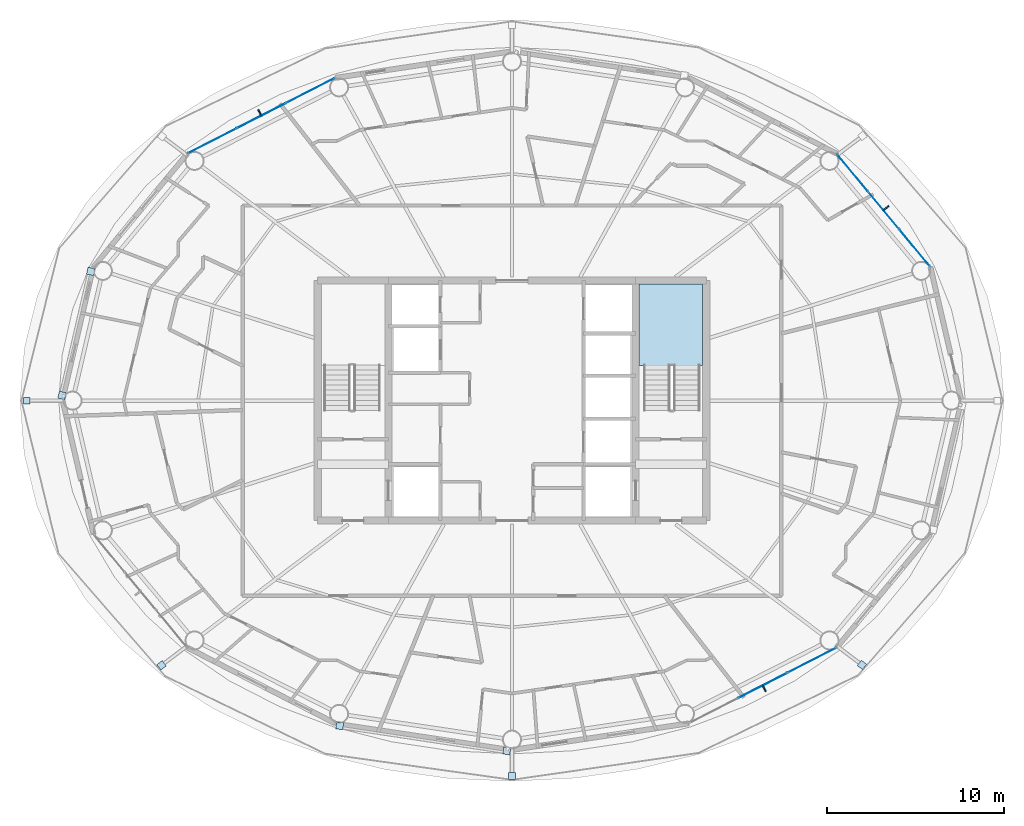
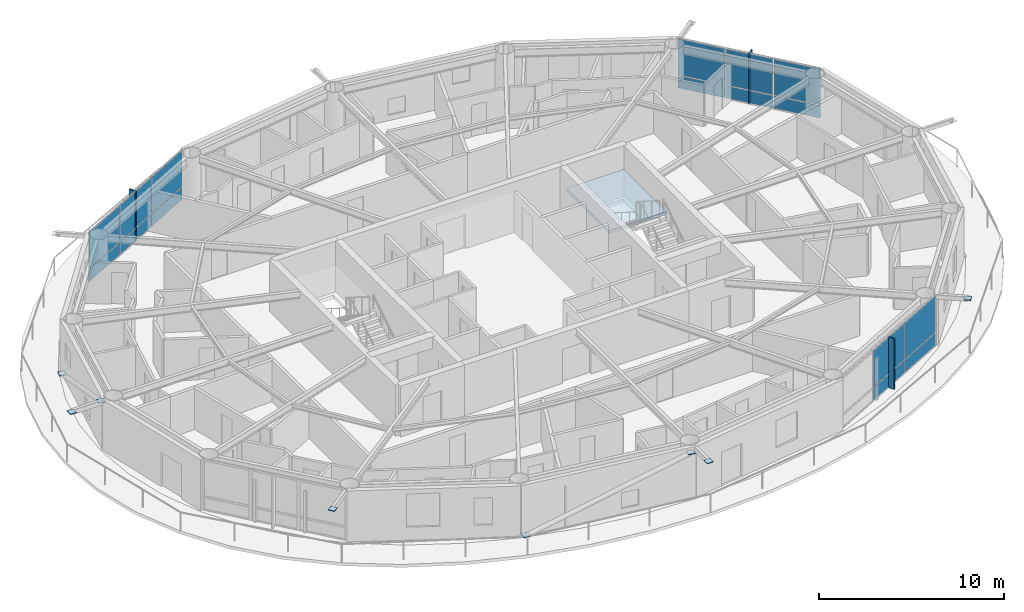
# One storey, part 14 of 23: 27 plates, 1 slab, 4 elements without a shape of their own.
"""IFC4 building model written with IfcOpenShell, lengths in metres."""

import ifcopenshell
import ifcopenshell.guid

model = None  # the IFC model being written
_history = None  # IfcOwnerHistory: only IFC2X3 demands one
_inside = {}  # id of a spatial element -> (the spatial element, [elements in it])
_under = {}  # id of a project, library or spatial element -> (it, [spatial elements below it])
_declared = {}  # id of a project -> (the project, [libraries it declares])
_typed = {}  # id of a type object -> (the type object, [elements of that type])
_made_of = {}  # id of a material, layer set ... -> (it, [elements and type objects made of it])


def new_model(schema):
    """Start an empty IFC model of exactly this schema.

    Asked for "IFC4X3", IfcOpenShell would pick the latest addendum, in which some entities
    have other attributes; the version numbers below select the first issue.
    IFC2X3 requires an IfcOwnerHistory on every rooted entity: one is made here for all.
    """
    global model, _history
    if schema == "IFC4X3":
        model = ifcopenshell.file(schema_version=(4, 3, 0, 0))
    else:
        model = ifcopenshell.file(schema=schema)
    _inside.clear()
    _under.clear()
    _declared.clear()
    _typed.clear()
    _made_of.clear()
    _history = None
    if model.schema == "IFC2X3":
        org = make("IfcOrganization", Name="unknown")
        user = make(
            "IfcPersonAndOrganization",
            ThePerson=make("IfcPerson", FamilyName="unknown"),
            TheOrganization=org,
        )
        app = make(
            "IfcApplication",
            ApplicationDeveloper=org,
            Version="unknown",
            ApplicationFullName="unknown",
            ApplicationIdentifier="unknown",
        )
        _history = make(
            "IfcOwnerHistory",
            OwningUser=user,
            OwningApplication=app,
            ChangeAction="ADDED",
            CreationDate=0,
        )
    return model


def make(cls, **values):
    """One entity of the class cls with the attributes given. An attribute that is None is left unset."""
    return model.create_entity(
        cls, **{name: value for name, value in values.items() if value is not None}
    )


def rooted(cls, **values):
    """An entity with a GlobalId (a new one), such as an element, a storey or a relation."""
    return make(cls, GlobalId=ifcopenshell.guid.new(), OwnerHistory=_history, **values)


def si_unit(unit_type, name, prefix=None):
    """IfcSIUnit, for example si_unit("LENGTHUNIT", "METRE", prefix="MILLI")."""
    return make("IfcSIUnit", UnitType=unit_type, Prefix=prefix, Name=name)


def assignment(units):
    """IfcUnitAssignment: the units of a project."""
    return None if units is None else make("IfcUnitAssignment", Units=units)


def point(xyz):
    """IfcCartesianPoint."""
    return None if xyz is None else make("IfcCartesianPoint", Coordinates=xyz)


def direction(xyz):
    """IfcDirection."""
    return None if xyz is None else make("IfcDirection", DirectionRatios=xyz)


def frame(location, z_axis=None, x_axis=None):
    """IfcAxis2Placement3D, a coordinate frame: its origin and axes. An axis left out is left unset."""
    return make(
        "IfcAxis2Placement3D",
        Location=point(location),
        Axis=direction(z_axis),
        RefDirection=direction(x_axis),
    )


def frame_2d(location, x_axis=None):
    """IfcAxis2Placement2D, a coordinate frame in the plane: its origin and x axis."""
    return make(
        "IfcAxis2Placement2D", Location=point(location), RefDirection=direction(x_axis)
    )


def origin():
    """The frame at (0, 0, 0) with its axes left unset."""
    return frame((0.0, 0.0, 0.0))


def origin_2d():
    """The frame at (0, 0) in the plane with its x axis left unset."""
    return frame_2d((0.0, 0.0))


def place(relative_to, where):
    """IfcLocalPlacement: puts the frame where relative to a parent placement (None: the world)."""
    return make(
        "IfcLocalPlacement", PlacementRelTo=relative_to, RelativePlacement=where
    )


def context(
    kind, dimensions, precision=None, world=None, true_north=None, identifier=None
):
    """IfcGeometricRepresentationContext, for example the 3D "Model" context."""
    return make(
        "IfcGeometricRepresentationContext",
        ContextIdentifier=identifier,
        ContextType=kind,
        CoordinateSpaceDimension=dimensions,
        Precision=precision,
        WorldCoordinateSystem=world,
        TrueNorth=true_north,
    )


def subcontext(parent, identifier, kind, view, scale=None):
    """IfcGeometricRepresentationSubContext, for example "Body" below "Model"."""
    return make(
        "IfcGeometricRepresentationSubContext",
        ContextIdentifier=identifier,
        ContextType=kind,
        ParentContext=parent,
        TargetScale=scale,
        TargetView=view,
    )


def project(units=None, contexts=None):
    """IfcProject with its units and contexts."""
    return rooted(
        "IfcProject",
        Name="project",
        RepresentationContexts=contexts,
        UnitsInContext=assignment(units),
    )


def spatial(cls, under=None, at=None, **own):
    """A site, building, storey or space (cls), placed at a placement, below another one or the project."""
    s = rooted(cls, ObjectPlacement=at, **own)
    if under is not None:
        _under.setdefault(under.id(), (under, []))[1].append(s)
    return s


def polyline(points):
    """IfcPolyline through the points."""
    return make("IfcPolyline", Points=[point(p) for p in points])


def profile(cls, at=None, kind="AREA", **sizes):
    """A parametric profile (cls). Its sizes go by their IFC names, for example OverallWidth=200.0."""
    return make(cls, ProfileType=kind, Position=at, **sizes)


def rectangle(**sizes):
    """IfcRectangleProfileDef."""
    return profile("IfcRectangleProfileDef", **sizes)


def outline(outer, holes=None, kind="AREA"):
    """IfcArbitraryClosedProfileDef: a profile drawn as a closed curve; with holes, ...WithVoids."""
    if holes is None:
        return make("IfcArbitraryClosedProfileDef", ProfileType=kind, OuterCurve=outer)
    return make(
        "IfcArbitraryProfileDefWithVoids",
        ProfileType=kind,
        OuterCurve=outer,
        InnerCurves=holes,
    )


def extrude(swept, where, along, depth):
    """IfcExtrudedAreaSolid: the profile swept, set in the frame where, extruded along a direction by depth."""
    return make(
        "IfcExtrudedAreaSolid",
        SweptArea=swept,
        Position=where,
        ExtrudedDirection=direction(along),
        Depth=depth,
    )


def shape(context_of_items, identifier, shape_type, items):
    """IfcShapeRepresentation: the items that make up one representation, for example the "Body"."""
    return make(
        "IfcShapeRepresentation",
        ContextOfItems=context_of_items,
        RepresentationIdentifier=identifier,
        RepresentationType=shape_type,
        Items=items,
    )


def material(Name=None, Category=None):
    """IfcMaterial."""
    return make("IfcMaterial", Name=Name, Category=Category)


def layer(
    of_material, thickness, ventilated=None, Name=None, Category=None, Priority=None
):
    """IfcMaterialLayer: one layer of a wall or slab, of a material (None: an air gap)."""
    return make(
        "IfcMaterialLayer",
        Material=of_material,
        LayerThickness=thickness,
        IsVentilated=ventilated,
        Name=Name,
        Category=Category,
        Priority=Priority,
    )


def layer_set(layers, Name=None):
    """IfcMaterialLayerSet."""
    return make("IfcMaterialLayerSet", MaterialLayers=layers, LayerSetName=Name)


def made_of(thing, what):
    """Note that an element or type object is made of a material, layer set ...; save() writes the relation."""
    if what is not None:
        _made_of.setdefault(what.id(), (what, []))[1].append(thing)
    return thing


def type_object(cls, material=None, **own):
    """A type object (cls), such as IfcWallType, which elements share."""
    return made_of(rooted(cls, **own), material)


def element(
    cls,
    number,
    at=None,
    inside=None,
    cuts=None,
    type_object=None,
    material=None,
    context=None,
    identifier="Body",
    shape_type=None,
    held_by="IfcProductDefinitionShape",
    body=None,
    shapes=None,
    **own,
):
    """One element of the class cls, such as IfcWall. Its Tag is "e" and its number.

    at: its placement. inside: the storey or other place that contains it. cuts: it is an
    opening in that element (IfcRelVoidsElement). A single representation is given by context,
    identifier, shape_type and body (its items); several are given by shapes. held_by: the class
    of the entity that holds the representations. save() writes the other relations.
    """
    e = rooted(cls, Tag="e%d" % number, ObjectPlacement=at, **own)
    if body is not None:
        shapes = [shape(context, identifier, shape_type, body)]
    if shapes is not None:
        e.Representation = make(held_by, Representations=shapes)
    if inside is not None:
        _inside.setdefault(inside.id(), (inside, []))[1].append(e)
    if cuts is not None:
        rooted(
            "IfcRelVoidsElement", RelatingBuildingElement=cuts, RelatedOpeningElement=e
        )
    if type_object is not None:
        _typed.setdefault(type_object.id(), (type_object, []))[1].append(e)
    return made_of(e, material)


def aggregate(whole, parts):
    """IfcRelAggregates: a whole, such as a stair, and the parts it consists of."""
    return rooted("IfcRelAggregates", RelatingObject=whole, RelatedObjects=parts)


def save(model, path):
    """Write the relations noted so far, then the file.

    IfcRelAggregates (storeys below a building ...), IfcRelContainedInSpatialStructure (elements
    in a storey), IfcRelDefinesByType, IfcRelAssociatesMaterial and IfcRelDeclares: one each for
    every whole, place, type object, material and project.
    """
    for whole, parts in _under.values():
        aggregate(whole, parts)
    for where, things in _inside.values():
        rooted(
            "IfcRelContainedInSpatialStructure",
            RelatedElements=things,
            RelatingStructure=where,
        )
    for kind, things in _typed.values():
        rooted("IfcRelDefinesByType", RelatedObjects=things, RelatingType=kind)
    for what, things in _made_of.values():
        rooted("IfcRelAssociatesMaterial", RelatedObjects=things, RelatingMaterial=what)
    for by, libraries in _declared.values():
        rooted("IfcRelDeclares", RelatingContext=by, RelatedDefinitions=libraries)
    model.write(path)


model = new_model("IFC4")

# Units and contexts
model_context = context("Model", 3, precision=1e-05, world=origin(), true_north=direction((0.0, 1.0)))
body_context = subcontext(model_context, "Body", "Model", "MODEL_VIEW")
ifc_project = project(units=[si_unit("LENGTHUNIT", "METRE"), si_unit("AREAUNIT", "SQUARE_METRE"), si_unit("VOLUMEUNIT", "CUBIC_METRE"), si_unit("PLANEANGLEUNIT", "RADIAN"), si_unit("MASSUNIT", "GRAM", prefix="KILO")], contexts=[model_context])

# Site, building, storey
site_placement = place(None, origin())
site = spatial("IfcSite", under=ifc_project, at=site_placement, CompositionType="ELEMENT")
building_placement = place(site_placement, origin())
building = spatial("IfcBuilding", under=site, at=building_placement, Name="Sarneth Arch Tower", CompositionType="ELEMENT")
storey_placement = place(building_placement, frame((0.0, 0.0, 242.39990234375)))
storey = spatial("IfcBuildingStorey", under=building, at=storey_placement, Name="L62", CompositionType="ELEMENT", Elevation=242.39990234375)

# Curtain wall, plates
ifc_material_1 = material(Name="Anodised aluminium Type AA25 and solar-control low-e laminated IGU", Category="aluminium")
ifc_layer_1 = layer(ifc_material_1, 0.179931640625)
ifc_layer_set_1 = layer_set([ifc_layer_1], Name="Anodised aluminium Type AA25 and solar-control low-e laminated IGU")
curtain_wall_type = type_object("IfcCurtainWallType", Name="CW-RES-HIGH", PredefinedType="NOTDEFINED", material=ifc_layer_set_1)
curtain_wall_1_placement = place(storey_placement, origin())
curtain_wall_1 = element("IfcCurtainWall", 1, at=curtain_wall_1_placement, inside=storey, type_object=curtain_wall_type, Name="L62 Unitised curtain wall facet 02", PredefinedType="NOTDEFINED")
ifc_material_2 = material(Name="Solar-control low-e laminated IGU", Category="glass")
ifc_layer_2 = layer(ifc_material_2, 0.028076171875)
ifc_layer_set_2 = layer_set([ifc_layer_2], Name="Solar-control low-e laminated IGU")
plate_type_1 = type_object("IfcPlateType", Name="CW-PANEL", PredefinedType="CURTAIN_PANEL", material=ifc_layer_set_2)
plate_1_placement = place(storey_placement, frame((70.799072265625, 50.650634765625, 0.06005859375), z_axis=(0.0, 0.0, 1.0), x_axis=(-0.637610094184, 0.770359245933, 0.0)))
plate_1 = element("IfcPlate", 2, at=plate_1_placement, type_object=plate_type_1, Name="Curtain wall glazed vision pane CW-L62-F02/P00-00", PredefinedType="CURTAIN_PANEL", context=body_context, shape_type="SweptSolid", body=[
    extrude(rectangle(XDim=2.686767578125, YDim=0.028076171875, at=origin_2d()), origin(), (0.0, 0.0, 1.0), 0.81005859375),
])
plate_2_placement = place(storey_placement, frame((70.799072265625, 50.650634765625, 0.929931640625), z_axis=(0.0, 0.0, 1.0), x_axis=(-0.637610094184, 0.770359245933, 0.0)))
plate_2 = element("IfcPlate", 3, at=plate_2_placement, type_object=plate_type_1, Name="Curtain wall glazed vision pane CW-L62-F02/P00-01", PredefinedType="CURTAIN_PANEL", context=body_context, shape_type="SweptSolid", body=[
    extrude(rectangle(XDim=2.686767578125, YDim=0.028076171875, at=origin_2d()), origin(), (0.0, 0.0, 1.0), 2.3701171875),
])
plate_3_placement = place(storey_placement, frame((69.0380859375, 52.778076171875, 0.06005859375), z_axis=(0.0, 0.0, 1.0), x_axis=(-0.637610094184, 0.770359245933, 0.0)))
plate_3 = element("IfcPlate", 4, at=plate_3_placement, type_object=plate_type_1, Name="Curtain wall glazed vision pane CW-L62-F02/P01-00", PredefinedType="CURTAIN_PANEL", context=body_context, shape_type="SweptSolid", body=[
    extrude(rectangle(XDim=2.716552734375, YDim=0.028076171875, at=origin_2d()), origin(), (0.0, 0.0, 1.0), 0.81005859375),
])
plate_4_placement = place(storey_placement, frame((69.0380859375, 52.778076171875, 0.929931640625), z_axis=(0.0, 0.0, 1.0), x_axis=(-0.637610094184, 0.770359245933, 0.0)))
plate_4 = element("IfcPlate", 5, at=plate_4_placement, type_object=plate_type_1, Name="Curtain wall glazed vision pane CW-L62-F02/P01-01", PredefinedType="CURTAIN_PANEL", context=body_context, shape_type="SweptSolid", body=[
    extrude(rectangle(XDim=2.716552734375, YDim=0.028076171875, at=origin_2d()), origin(), (0.0, 0.0, 1.0), 2.3701171875),
])
plate_5_placement = place(storey_placement, frame((67.27734375, 54.905517578125, 0.06005859375), z_axis=(0.0, 0.0, 1.0), x_axis=(-0.637610094184, 0.770359245933, 0.0)))
plate_5 = element("IfcPlate", 6, at=plate_5_placement, type_object=plate_type_1, Name="Curtain wall glazed vision pane CW-L62-F02/P02-00", PredefinedType="CURTAIN_PANEL", context=body_context, shape_type="SweptSolid", body=[
    extrude(rectangle(XDim=2.686767578125, YDim=0.028076171875, at=origin_2d()), origin(), (0.0, 0.0, 1.0), 0.81005859375),
])
plate_6_placement = place(storey_placement, frame((67.27734375, 54.905517578125, 0.929931640625), z_axis=(0.0, 0.0, 1.0), x_axis=(-0.637610094184, 0.770359245933, 0.0)))
plate_6 = element("IfcPlate", 7, at=plate_6_placement, type_object=plate_type_1, Name="Curtain wall glazed vision pane CW-L62-F02/P02-01", PredefinedType="CURTAIN_PANEL", context=body_context, shape_type="SweptSolid", body=[
    extrude(rectangle(XDim=2.686767578125, YDim=0.028076171875, at=origin_2d()), origin(), (0.0, 0.0, 1.0), 2.3701171875),
])
aggregate(curtain_wall_1, [plate_1, plate_2, plate_3, plate_4, plate_5, plate_6])

curtain_wall_2_placement = place(storey_placement, origin())
curtain_wall_2 = element("IfcCurtainWall", 8, at=curtain_wall_2_placement, inside=storey, type_object=curtain_wall_type, Name="L62 Unitised curtain wall facet 06", PredefinedType="NOTDEFINED")
plate_7_placement = place(storey_placement, frame((36.5791015625, 59.552978515625, 0.06005859375), z_axis=(0.0, 0.0, 1.0), x_axis=(-0.890009540525, -0.455941901753, 0.0)))
plate_7 = element("IfcPlate", 9, at=plate_7_placement, type_object=plate_type_1, Name="Curtain wall glazed vision pane CW-L62-F06/P00-00", PredefinedType="CURTAIN_PANEL", context=body_context, shape_type="SweptSolid", body=[
    extrude(rectangle(XDim=3.044677734375, YDim=0.028076171875, at=origin_2d()), origin(), (0.0, 0.0, 1.0), 0.81005859375),
])
plate_8_placement = place(storey_placement, frame((36.5791015625, 59.552978515625, 0.929931640625), z_axis=(0.0, 0.0, 1.0), x_axis=(-0.890009540525, -0.455941901753, 0.0)))
plate_8 = element("IfcPlate", 10, at=plate_8_placement, type_object=plate_type_1, Name="Curtain wall glazed vision pane CW-L62-F06/P00-01", PredefinedType="CURTAIN_PANEL", context=body_context, shape_type="SweptSolid", body=[
    extrude(rectangle(XDim=3.044677734375, YDim=0.028076171875, at=origin_2d()), origin(), (0.0, 0.0, 1.0), 2.3701171875),
])
plate_9_placement = place(storey_placement, frame((33.802490234375, 58.13037109375, 0.06005859375), z_axis=(0.0, 0.0, 1.0), x_axis=(-0.890009540525, -0.455941901753, 0.0)))
plate_9 = element("IfcPlate", 11, at=plate_9_placement, type_object=plate_type_1, Name="Curtain wall glazed vision pane CW-L62-F06/P01-00", PredefinedType="CURTAIN_PANEL", context=body_context, shape_type="SweptSolid", body=[
    extrude(rectangle(XDim=3.07470703125, YDim=0.028076171875, at=origin_2d()), origin(), (0.0, 0.0, 1.0), 0.81005859375),
])
plate_10_placement = place(storey_placement, frame((33.802490234375, 58.13037109375, 0.929931640625), z_axis=(0.0, 0.0, 1.0), x_axis=(-0.890009540525, -0.455941901753, 0.0)))
plate_10 = element("IfcPlate", 12, at=plate_10_placement, type_object=plate_type_1, Name="Curtain wall glazed vision pane CW-L62-F06/P01-01", PredefinedType="CURTAIN_PANEL", context=body_context, shape_type="SweptSolid", body=[
    extrude(rectangle(XDim=3.07470703125, YDim=0.028076171875, at=origin_2d()), origin(), (0.0, 0.0, 1.0), 2.3701171875),
])
plate_11_placement = place(storey_placement, frame((31.02587890625, 56.7080078125, 0.06005859375), z_axis=(0.0, 0.0, 1.0), x_axis=(-0.890009540525, -0.455941901753, 0.0)))
plate_11 = element("IfcPlate", 13, at=plate_11_placement, type_object=plate_type_1, Name="Curtain wall glazed vision pane CW-L62-F06/P02-00", PredefinedType="CURTAIN_PANEL", context=body_context, shape_type="SweptSolid", body=[
    extrude(rectangle(XDim=3.044677734375, YDim=0.028076171875, at=origin_2d()), origin(), (0.0, 0.0, 1.0), 0.81005859375),
])
plate_12_placement = place(storey_placement, frame((31.02587890625, 56.7080078125, 0.929931640625), z_axis=(0.0, 0.0, 1.0), x_axis=(-0.890009540525, -0.455941901753, 0.0)))
plate_12 = element("IfcPlate", 14, at=plate_12_placement, type_object=plate_type_1, Name="Curtain wall glazed vision pane CW-L62-F06/P02-01", PredefinedType="CURTAIN_PANEL", context=body_context, shape_type="SweptSolid", body=[
    extrude(rectangle(XDim=3.044677734375, YDim=0.028076171875, at=origin_2d()), origin(), (0.0, 0.0, 1.0), 2.3701171875),
])
aggregate(curtain_wall_2, [plate_7, plate_8, plate_9, plate_10, plate_11, plate_12])

curtain_wall_3_placement = place(storey_placement, origin())
curtain_wall_3 = element("IfcCurtainWall", 15, at=curtain_wall_3_placement, inside=storey, type_object=curtain_wall_type, Name="L62 Unitised curtain wall facet 14", PredefinedType="NOTDEFINED")
plate_13_placement = place(storey_placement, frame((62.197509765625, 25.86962890625, 0.06005859375), z_axis=(0.0, 0.0, 1.0), x_axis=(0.890009540525, 0.455941901753, 0.0)))
plate_13 = element("IfcPlate", 16, at=plate_13_placement, type_object=plate_type_1, Name="Curtain wall glazed vision pane CW-L62-F14/P01-00", PredefinedType="CURTAIN_PANEL", context=body_context, shape_type="SweptSolid", body=[
    extrude(rectangle(XDim=3.07470703125, YDim=0.028076171875, at=origin_2d()), origin(), (0.0, 0.0, 1.0), 0.81005859375),
])
plate_14_placement = place(storey_placement, frame((62.197509765625, 25.86962890625, 0.929931640625), z_axis=(0.0, 0.0, 1.0), x_axis=(0.890009540525, 0.455941901753, 0.0)))
plate_14 = element("IfcPlate", 17, at=plate_14_placement, type_object=plate_type_1, Name="Curtain wall glazed vision pane CW-L62-F14/P01-01", PredefinedType="CURTAIN_PANEL", context=body_context, shape_type="SweptSolid", body=[
    extrude(rectangle(XDim=3.07470703125, YDim=0.028076171875, at=origin_2d()), origin(), (0.0, 0.0, 1.0), 2.3701171875),
])
plate_15_placement = place(storey_placement, frame((64.97412109375, 27.2919921875, 0.06005859375), z_axis=(0.0, 0.0, 1.0), x_axis=(0.890009540525, 0.455941901753, 0.0)))
plate_15 = element("IfcPlate", 18, at=plate_15_placement, type_object=plate_type_1, Name="Curtain wall glazed vision pane CW-L62-F14/P02-00", PredefinedType="CURTAIN_PANEL", context=body_context, shape_type="SweptSolid", body=[
    extrude(rectangle(XDim=3.044677734375, YDim=0.028076171875, at=origin_2d()), origin(), (0.0, 0.0, 1.0), 0.81005859375),
])
plate_16_placement = place(storey_placement, frame((64.97412109375, 27.2919921875, 0.929931640625), z_axis=(0.0, 0.0, 1.0), x_axis=(0.890009540525, 0.455941901753, 0.0)))
plate_16 = element("IfcPlate", 19, at=plate_16_placement, type_object=plate_type_1, Name="Curtain wall glazed vision pane CW-L62-F14/P02-01", PredefinedType="CURTAIN_PANEL", context=body_context, shape_type="SweptSolid", body=[
    extrude(rectangle(XDim=3.044677734375, YDim=0.028076171875, at=origin_2d()), origin(), (0.0, 0.0, 1.0), 2.3701171875),
])
aggregate(curtain_wall_3, [plate_13, plate_14, plate_15, plate_16])

# Plates
ifc_material_3 = material(Name="Steel S355", Category="steel")
ifc_layer_3 = layer(ifc_material_3, 0.035888671875)
ifc_layer_set_3 = layer_set([ifc_layer_3], Name="Steel S355")
plate_type_2 = type_object("IfcPlateType", Name="PLT-GUSSET-30", PredefinedType="SHEET", material=ifc_layer_set_3)
for number, where, z_axis, x_axis, name in (
    (20, (24.148193359375, 49.3154296875, 0.001953125), (0.0, 0.0, 1.0), (-0.225461202458, -0.974252147129, 0.0), "Steel end cap plate GP-1"),
    (21, (22.5234375, 42.292236328125, 3.0185546875), (0.0, 0.0, 1.0), (-0.225461202458, -0.974252147129, 0.0), "Steel end cap plate GP-1"),
):
    element("IfcPlate", number, at=place(storey_placement, frame(where, z_axis=z_axis, x_axis=x_axis)), inside=storey, type_object=plate_type_2, Name=name, PredefinedType="SHEET", context=body_context, shape_type="SweptSolid", body=[
        extrude(rectangle(XDim=0.404052734375, YDim=0.404052734375, at=origin_2d()), origin(), (0.0, 0.0, 1.0), 0.035888671875),
    ])
for number, where, z_axis, x_axis, name in (
    (22, (20.517578125, 42.0, 3.18212890625), (0.0, 0.0, 1.0), (-1.0, 0.0, 0.0), "Steel end cap plate GP-1"),
    (23, (28.154296875, 27.0107421875, 3.18212890625), (0.0, 0.0, 1.0), (-0.798004853043, -0.602651022168, 0.0), "Steel end cap plate GP-1"),
):
    element("IfcPlate", number, at=place(storey_placement, frame(where, z_axis=z_axis, x_axis=x_axis)), inside=storey, type_object=plate_type_2, Name=name, PredefinedType="SHEET", context=body_context, shape_type="SweptSolid", body=[
        extrude(rectangle(XDim=0.3798828125, YDim=0.3798828125, at=origin_2d()), origin(), (0.0, 0.0, 1.0), 0.035888671875),
    ])
for number, where, z_axis, x_axis, name in (
    (24, (38.245849609375, 23.588623046875, 0.001953125), (0.0, 0.0, 1.0), (0.988860535448, -0.148845024885, 0.0), "Steel end cap plate GP-1"),
    (25, (47.703369140625, 22.16455078125, 3.0185546875), (0.0, 0.0, 1.0), (0.988860535448, -0.148845024885, 0.0), "Steel end cap plate GP-1"),
):
    element("IfcPlate", number, at=place(storey_placement, frame(where, z_axis=z_axis, x_axis=x_axis)), inside=storey, type_object=plate_type_2, Name=name, PredefinedType="SHEET", context=body_context, shape_type="SweptSolid", body=[
        extrude(rectangle(XDim=0.404052734375, YDim=0.404052734375, at=origin_2d()), origin(), (0.0, 0.0, 1.0), 0.035888671875),
    ])
for number, where, z_axis, x_axis, name in (
    (26, (48.0, 20.749267578125, 3.18212890625), (0.0, 0.0, 1.0), (0.0, -1.0, 0.0), "Steel end cap plate GP-1"),
    (27, (67.815185546875, 27.033935546875, 3.18212890625), (0.0, 0.0, 1.0), (0.798004853043, -0.602651022168, 0.0), "Steel end cap plate GP-1"),
):
    element("IfcPlate", number, at=place(storey_placement, frame(where, z_axis=z_axis, x_axis=x_axis)), inside=storey, type_object=plate_type_2, Name=name, PredefinedType="SHEET", context=body_context, shape_type="SweptSolid", body=[
        extrude(rectangle(XDim=0.3798828125, YDim=0.3798828125, at=origin_2d()), origin(), (0.0, 0.0, 1.0), 0.035888671875),
    ])
ifc_material_4 = material(Name="Extruded glazed terracotta baguette fin on Aluminium 6063-T6 carrier", Category="masonry")
ifc_layer_4 = layer(ifc_material_4, 0.080078125)
ifc_layer_set_4 = layer_set([ifc_layer_4], Name="Extruded glazed terracotta baguette fin on Aluminium 6063-T6 carrier")
plate_type_3 = type_object("IfcPlateType", Name="SHADE-TERRA-FIN", PredefinedType="SHEET", material=ifc_layer_set_4)
for number, where, z_axis, x_axis, name in (
    (28, (69.169189453125, 52.886474609375, 0.01025390625), (0.0, 0.0, 1.0), (0.770401979567, 0.63755845997, 0.0), "L62 Terracotta vertical shading fin 02"),
    (29, (33.724853515625, 58.28173828125, 0.01025390625), (0.0, 0.0, 1.0), (-0.456010959102, 0.889974159838, 0.0), "L62 Terracotta vertical shading fin 06"),
    (30, (62.275146484375, 25.71826171875, 0.01025390625), (0.0, 0.0, 1.0), (0.456010959102, -0.889974159838, 0.0), "L62 Terracotta vertical shading fin 14"),
):
    element("IfcPlate", number, at=place(storey_placement, frame(where, z_axis=z_axis, x_axis=x_axis)), inside=storey, type_object=plate_type_3, Name=name, PredefinedType="SHEET", context=body_context, shape_type="SweptSolid", body=[
        extrude(rectangle(XDim=0.419921875, YDim=0.080078125, at=origin_2d()), origin(), (0.0, 0.0, 1.0), 3.340087890625),
    ])

# Stair, slab
ifc_material_5 = material(Name="Concrete C50/60", Category="concrete")
stair_type = type_object("IfcStairType", Name="STAIR-CORE-RC", PredefinedType="HALF_TURN_STAIR", material=ifc_material_5)
stair_placement = place(storey_placement, origin())
stair = element("IfcStair", 31, at=stair_placement, inside=storey, type_object=stair_type, Name="L62 Core Exit Stair 2", PredefinedType="HALF_TURN_STAIR")
ifc_material_6 = material(Name="Concrete C50/60", Category="concrete")
ifc_layer_5 = layer(ifc_material_6, 0.199951171875)
ifc_layer_set_5 = layer_set([ifc_layer_5], Name="Concrete C50/60")
slab_type = type_object("IfcSlabType", Name="SLAB-LANDING-200", PredefinedType="LANDING", material=ifc_layer_set_5)
slab_placement = place(storey_placement, frame((0.0, 0.0, 1.60009765625)))
slab = element("IfcSlab", 32, at=slab_placement, type_object=slab_type, Name="ST-2 landing 1", PredefinedType="LANDING", context=body_context, shape_type="SweptSolid", body=[
    extrude(outline(polyline([(55.199951171875, 43.985107421875), (58.800048828125, 43.985107421875), (58.800048828125, 48.60009765625), (55.199951171875, 48.60009765625), (55.199951171875, 43.985107421875)])), origin(), (0.0, 0.0, 1.0), 0.199951171875),
])
aggregate(stair, [slab])

save(model, "model.ifc")
